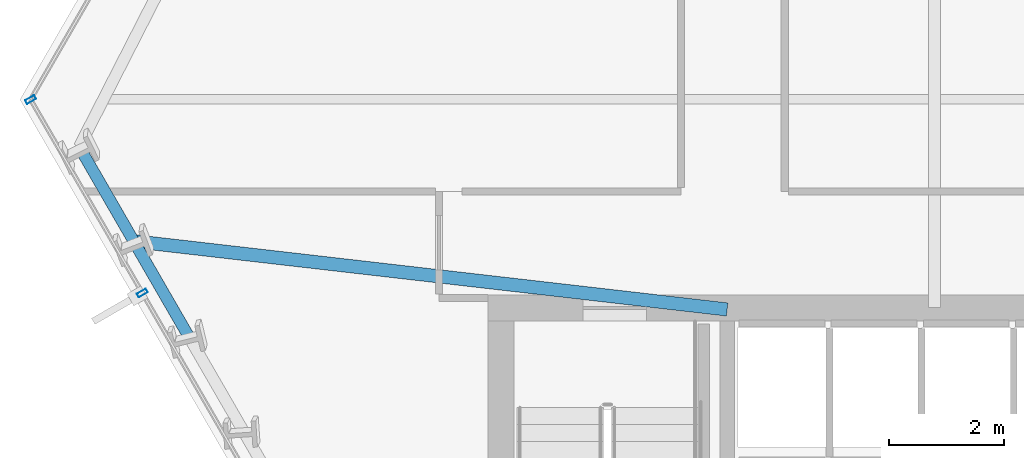
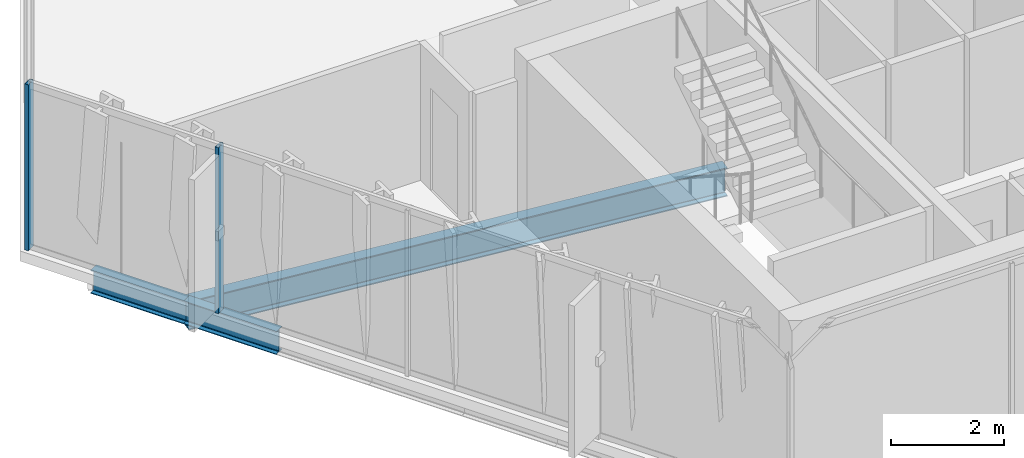
# One storey, part 5 of 32: 3 beams, 2 members, 1 element without a shape of its own.
"""IFC4 building model written with IfcOpenShell, lengths in metres."""

from ifc_helpers import new_model, si_unit, direction, frame, origin, origin_2d, place, context, subcontext, project, spatial, hollow_rectangle, i_section, extrude, material, layer, layer_set, material_profile, profile_set, type_object, element, aggregate, save


model = new_model("IFC4")

# Units and contexts
model_context = context("Model", 3, precision=1e-05, world=origin(), true_north=direction((0.0, 1.0)))
body_context = subcontext(model_context, "Body", "Model", "MODEL_VIEW")
ifc_project = project(units=[si_unit("LENGTHUNIT", "METRE"), si_unit("AREAUNIT", "SQUARE_METRE"), si_unit("VOLUMEUNIT", "CUBIC_METRE"), si_unit("PLANEANGLEUNIT", "RADIAN"), si_unit("MASSUNIT", "GRAM", prefix="KILO")], contexts=[model_context])

# Site, building, storey
site_placement = place(None, origin())
site = spatial("IfcSite", under=ifc_project, at=site_placement, CompositionType="ELEMENT")
building_placement = place(site_placement, origin())
building = spatial("IfcBuilding", under=site, at=building_placement, Name="Ndaravel Arena Tower", CompositionType="ELEMENT")
storey_placement = place(building_placement, frame((0.0, 0.0, 66.39990234375)))
storey = spatial("IfcBuildingStorey", under=building, at=storey_placement, Name="L14", CompositionType="ELEMENT", Elevation=66.39990234375)

# Beams
ifc_material_1 = material(Name="Steel S355", Category="steel")
ifc_material_profile_1 = material_profile(ifc_material_1, i_section(OverallWidth=0.230224609375, OverallDepth=0.6171875, WebThickness=0.01318359375, FlangeThickness=0.022216796875, FilletRadius=0.0126953125, at=origin_2d()), Name="UB 610x229x140")
ifc_profile_set_1 = profile_set([ifc_material_profile_1], Name="Steel S355")
beam_type_1 = type_object("IfcBeamType", Name="BM-GIRD-UB610B", PredefinedType="BEAM", material=ifc_profile_set_1)
beam_1_placement = place(storey_placement, frame((20.298095703125, 16.135009765625, -0.528564453125), z_axis=(0.993448778677, -0.114278275036, 0.0), x_axis=(0.114278275036, 0.993448778677, 0.0)))
element("IfcBeam", 1, at=beam_1_placement, inside=storey, type_object=beam_type_1, Name="L14 Radial Floor Girder FG-21", PredefinedType="BEAM", context=body_context, shape_type="SweptSolid", body=[
    extrude(i_section(OverallWidth=0.230224609375, OverallDepth=0.6171875, WebThickness=0.01318359375, FlangeThickness=0.022216796875, FilletRadius=0.0126953125, at=origin_2d()), origin(), (0.0, 0.0, 1.0), 10.369873046875),
])
ifc_material_2 = material(Name="Steel S355", Category="steel")
ifc_material_profile_2 = material_profile(ifc_material_2, i_section(OverallWidth=0.199951171875, OverallDepth=0.5, WebThickness=0.01025390625, FlangeThickness=0.01611328125, FilletRadius=0.02099609375, at=origin_2d()), Name="IPE 500")
ifc_profile_set_2 = profile_set([ifc_material_profile_2], Name="Steel S355")
beam_type_2 = type_object("IfcBeamType", Name="BM-SPAN-IPE500", PredefinedType="SPANDREL", material=ifc_profile_set_2)
beam_2_placement = place(storey_placement, frame((19.3515625, 17.7744140625, -0.469970703125), z_axis=(0.50000898992, -0.86602021339, 0.0), x_axis=(0.86602021339, 0.50000898992, 0.0)))
element("IfcBeam", 2, at=beam_2_placement, inside=storey, type_object=beam_type_2, Name="L14 Perimeter Spandrel Beam SP-20", PredefinedType="SPANDREL", context=body_context, shape_type="SweptSolid", body=[
    extrude(i_section(OverallWidth=0.199951171875, OverallDepth=0.5, WebThickness=0.01025390625, FlangeThickness=0.01611328125, FilletRadius=0.02099609375, at=origin_2d()), origin(), (0.0, 0.0, 1.0), 1.89306640625),
])
beam_3_placement = place(storey_placement, frame((20.298095703125, 16.135009765625, -0.469970703125), z_axis=(0.499968102766, -0.866043818878, 0.0), x_axis=(0.866043818878, 0.499968102766, 0.0)))
element("IfcBeam", 3, at=beam_3_placement, inside=storey, type_object=beam_type_2, Name="L14 Perimeter Spandrel Beam SP-21", PredefinedType="SPANDREL", context=body_context, shape_type="SweptSolid", body=[
    extrude(i_section(OverallWidth=0.199951171875, OverallDepth=0.5, WebThickness=0.01025390625, FlangeThickness=0.01611328125, FilletRadius=0.02099609375, at=origin_2d()), origin(), (0.0, 0.0, 1.0), 1.892578125),
])

# Curtain wall, members
ifc_material_3 = material(Name="Aluminium", Category="aluminium")
ifc_layer = layer(ifc_material_3, 0.179931640625)
ifc_layer_set = layer_set([ifc_layer], Name="Aluminium")
curtain_wall_type = type_object("IfcCurtainWallType", Name="CW-SYS-02", PredefinedType="NOTDEFINED", material=ifc_layer_set)
curtain_wall_placement = place(storey_placement, origin())
curtain_wall = element("IfcCurtainWall", 4, at=curtain_wall_placement, inside=storey, type_object=curtain_wall_type, Name="L14 Faceted Crystal Curtain Wall CW-L14-E06", PredefinedType="NOTDEFINED")
ifc_material_4 = material(Name="Aluminium", Category="aluminium")
ifc_material_profile_3 = material_profile(ifc_material_4, hollow_rectangle(XDim=0.074951171875, YDim=0.179931640625, WallThickness=0.00390625, at=origin_2d()), Name="CW MULLION 75x180x4")
ifc_profile_set_3 = profile_set([ifc_material_profile_3], Name="Aluminium")
member_type = type_object("IfcMemberType", Name="MEM-CW-MUL180", PredefinedType="MULLION", material=ifc_profile_set_3)
member_1_placement = place(storey_placement, frame((18.5087890625, 18.593994140625, 0.0), z_axis=(0.0, 0.0, 1.0), x_axis=(0.5, -0.866025403784, 0.0)))
member_1 = element("IfcMember", 5, at=member_1_placement, type_object=member_type, Name="CW-L14-E06 Mullion 00", PredefinedType="MULLION", context=body_context, shape_type="SweptSolid", body=[
    extrude(hollow_rectangle(XDim=0.074951171875, YDim=0.179931640625, WallThickness=0.00390625, at=origin_2d()), origin(), (0.0, 0.0, 1.0), 3.580078125),
])
member_2_placement = place(storey_placement, frame((20.447998046875, 15.2353515625, 0.0), z_axis=(0.0, 0.0, 1.0), x_axis=(0.5, -0.866025403784, 0.0)))
member_2 = element("IfcMember", 6, at=member_2_placement, type_object=member_type, Name="CW-L14-E06 Mullion 01", PredefinedType="MULLION", context=body_context, shape_type="SweptSolid", body=[
    extrude(hollow_rectangle(XDim=0.074951171875, YDim=0.179931640625, WallThickness=0.00390625, at=origin_2d()), origin(), (0.0, 0.0, 1.0), 3.580078125),
])
aggregate(curtain_wall, [member_1, member_2])

save(model, "model.ifc")
